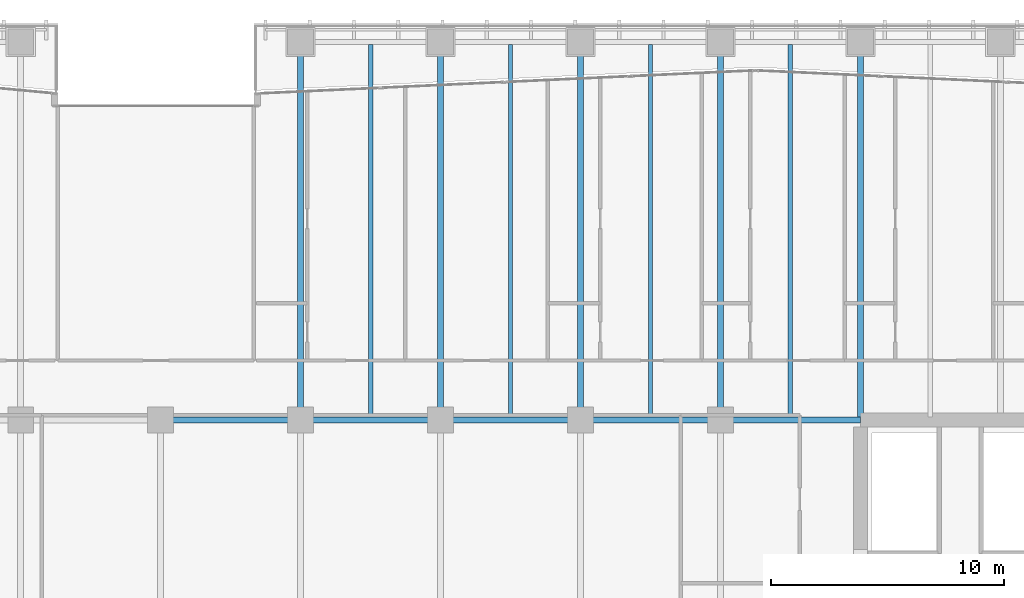
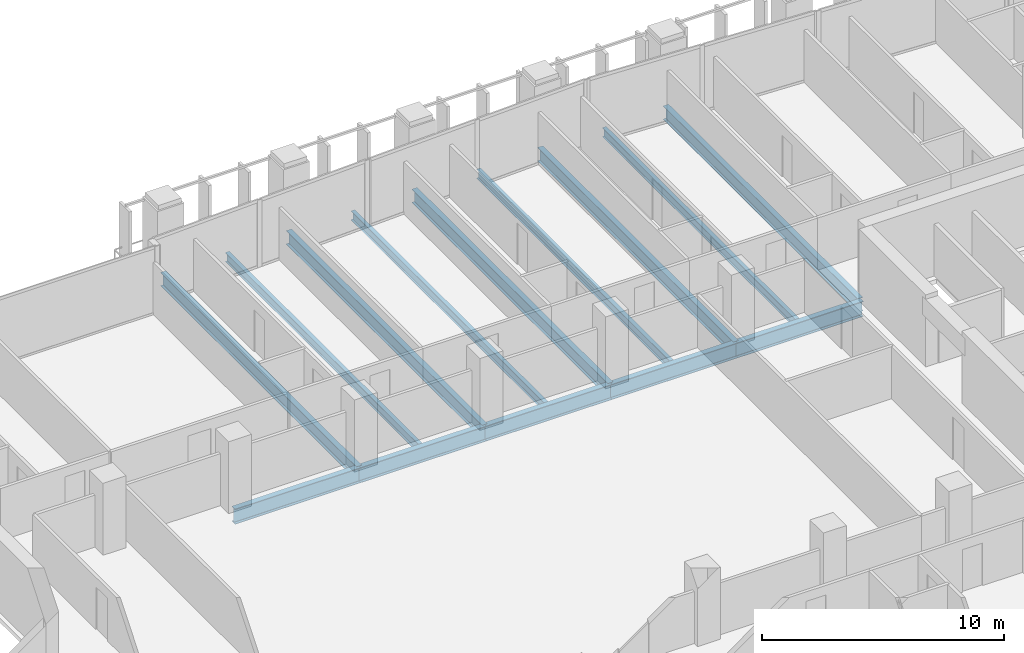
# One storey, part 11 of 31: 14 beams.
"""IFC4 building model written with IfcOpenShell, lengths in metres."""

from ifc_helpers import new_model, si_unit, direction, frame, origin, origin_2d, place, context, subcontext, project, spatial, i_section, extrude, material, material_profile, profile_set, type_object, element, save


model = new_model("IFC4")

# Units and contexts
model_context = context("Model", 3, precision=1e-05, world=origin(), true_north=direction((0.0, 1.0)))
body_context = subcontext(model_context, "Body", "Model", "MODEL_VIEW")
ifc_project = project(units=[si_unit("LENGTHUNIT", "METRE"), si_unit("AREAUNIT", "SQUARE_METRE"), si_unit("VOLUMEUNIT", "CUBIC_METRE"), si_unit("PLANEANGLEUNIT", "RADIAN"), si_unit("MASSUNIT", "GRAM", prefix="KILO")], contexts=[model_context])

# Site, building, storey
site_placement = place(None, origin())
site = spatial("IfcSite", under=ifc_project, at=site_placement, CompositionType="ELEMENT")
building_placement = place(site_placement, origin())
building = spatial("IfcBuilding", under=site, at=building_placement, Name="Tanjung Sevakor Pilgrim Tower", CompositionType="ELEMENT")
storey_placement = place(building_placement, frame((0.0, 0.0, 58.739990234375)))
storey = spatial("IfcBuildingStorey", under=building, at=storey_placement, Name="L16", CompositionType="ELEMENT", Elevation=58.739990234375)

# Beams
ifc_material_1 = material(Name="Steel S355J2", Category="steel")
ifc_material_profile_1 = material_profile(ifc_material_1, i_section(OverallWidth=0.26806640625, OverallDepth=0.769775390625, WebThickness=0.015625, FlangeThickness=0.025390625, FilletRadius=0.0166015625, at=origin_2d()))
ifc_profile_set_1 = profile_set([ifc_material_profile_1], Name="Steel S355J2")
beam_type_1 = type_object("IfcBeamType", Name="BM-B-G1-UB_762x267x197", PredefinedType="BEAM", material=ifc_profile_set_1)
for number, where, z_axis, x_axis, name in (
    (1, (48.0, 42.60009765625, -0.60498046875), (1.0, 0.0, 0.0), (0.0, 1.0, 0.0), "L16 Primary Floor Girder MAIN Y426-04"),
    (2, (54.0, 42.60009765625, -0.60498046875), (1.0, 0.0, 0.0), (0.0, 1.0, 0.0), "L16 Primary Floor Girder MAIN Y426-05"),
    (3, (60.0, 42.60009765625, -0.60498046875), (1.0, 0.0, 0.0), (0.0, 1.0, 0.0), "L16 Primary Floor Girder MAIN Y426-06"),
    (4, (66.0, 42.60009765625, -0.60498046875), (1.0, 0.0, 0.0), (0.0, 1.0, 0.0), "L16 Primary Floor Girder MAIN Y426-07"),
    (5, (72.0, 42.60009765625, -0.60498046875), (1.0, 0.0, 0.0), (0.0, 1.0, 0.0), "L16 Primary Floor Girder MAIN Y426-08"),
):
    element("IfcBeam", number, at=place(storey_placement, frame(where, z_axis=z_axis, x_axis=x_axis)), inside=storey, type_object=beam_type_1, Name=name, PredefinedType="BEAM", context=body_context, shape_type="SweptSolid", body=[
        extrude(i_section(OverallWidth=0.26806640625, OverallDepth=0.769775390625, WebThickness=0.015625, FlangeThickness=0.025390625, FilletRadius=0.0166015625, at=origin_2d()), origin(), (0.0, 0.0, 1.0), 6.0),
    ])
ifc_material_2 = material(Name="Steel S355J2", Category="steel")
ifc_material_profile_2 = material_profile(ifc_material_2, i_section(OverallWidth=0.25439453125, OverallDepth=0.6875, WebThickness=0.01318359375, FlangeThickness=0.02099609375, FilletRadius=0.01513671875, at=origin_2d()))
ifc_profile_set_2 = profile_set([ifc_material_profile_2], Name="Steel S355J2")
beam_type_2 = type_object("IfcBeamType", Name="BM-B-G2-UB_686x254x152", PredefinedType="BEAM", material=ifc_profile_set_2)
for number, where, z_axis, x_axis, name in (
    (6, (54.0, 42.60009765625, -0.563720703125), (0.0, 1.0, 0.0), (-1.0, 0.0, 0.0), "L16 MAIN Girder 019"),
    (7, (60.0, 42.60009765625, -0.563720703125), (0.0, 1.0, 0.0), (-1.0, 0.0, 0.0), "L16 MAIN Girder 024"),
    (8, (66.0, 42.60009765625, -0.563720703125), (0.0, 1.0, 0.0), (-1.0, 0.0, 0.0), "L16 MAIN Girder 029"),
    (9, (72.0, 42.60009765625, -0.563720703125), (0.0, 1.0, 0.0), (-1.0, 0.0, 0.0), "L16 MAIN Girder 034"),
):
    element("IfcBeam", number, at=place(storey_placement, frame(where, z_axis=z_axis, x_axis=x_axis)), inside=storey, type_object=beam_type_2, Name=name, PredefinedType="BEAM", context=body_context, shape_type="SweptSolid", body=[
        extrude(i_section(OverallWidth=0.25439453125, OverallDepth=0.6875, WebThickness=0.01318359375, FlangeThickness=0.02099609375, FilletRadius=0.01513671875, at=origin_2d()), origin(), (0.0, 0.0, 1.0), 16.199951171875),
    ])
beam_placement = place(storey_placement, frame((78.0, 42.73388671875, -0.563720703125), z_axis=(0.0, 1.0, 0.0), x_axis=(-1.0, 0.0, 0.0)))
element("IfcBeam", 10, at=beam_placement, inside=storey, type_object=beam_type_2, Name="L16 MAIN Girder 038", PredefinedType="BEAM", context=body_context, shape_type="SweptSolid", body=[
    extrude(i_section(OverallWidth=0.25439453125, OverallDepth=0.6875, WebThickness=0.01318359375, FlangeThickness=0.02099609375, FilletRadius=0.01513671875, at=origin_2d()), origin(), (0.0, 0.0, 1.0), 16.066162109375),
])
ifc_material_3 = material(Name="Steel S355J2", Category="steel")
ifc_material_profile_3 = material_profile(ifc_material_3, i_section(OverallWidth=0.19140625, OverallDepth=0.4599609375, WebThickness=0.010009765625, FlangeThickness=0.01611328125, FilletRadius=0.01025390625, at=origin_2d()))
ifc_profile_set_3 = profile_set([ifc_material_profile_3], Name="Steel S355J2")
beam_type_3 = type_object("IfcBeamType", Name="BM-B-J2-UB_457x191x82", PredefinedType="JOIST", material=ifc_profile_set_3)
for number, where, z_axis, x_axis, name in (
    (11, (57.0, 42.73388671875, -0.449951171875), (0.0, 1.0, 0.0), (-1.0, 0.0, 0.0), "L16 MAIN Joist 021"),
    (12, (63.0, 42.73388671875, -0.449951171875), (0.0, 1.0, 0.0), (-1.0, 0.0, 0.0), "L16 MAIN Joist 026"),
    (13, (69.0, 42.73388671875, -0.449951171875), (0.0, 1.0, 0.0), (-1.0, 0.0, 0.0), "L16 MAIN Joist 031"),
    (14, (75.0, 42.73388671875, -0.449951171875), (0.0, 1.0, 0.0), (-1.0, 0.0, 0.0), "L16 MAIN Joist 036"),
):
    element("IfcBeam", number, at=place(storey_placement, frame(where, z_axis=z_axis, x_axis=x_axis)), inside=storey, type_object=beam_type_3, Name=name, PredefinedType="JOIST", context=body_context, shape_type="SweptSolid", body=[
        extrude(i_section(OverallWidth=0.19140625, OverallDepth=0.4599609375, WebThickness=0.010009765625, FlangeThickness=0.01611328125, FilletRadius=0.01025390625, at=origin_2d()), origin(), (0.0, 0.0, 1.0), 15.966064453125),
    ])

save(model, "model.ifc")
